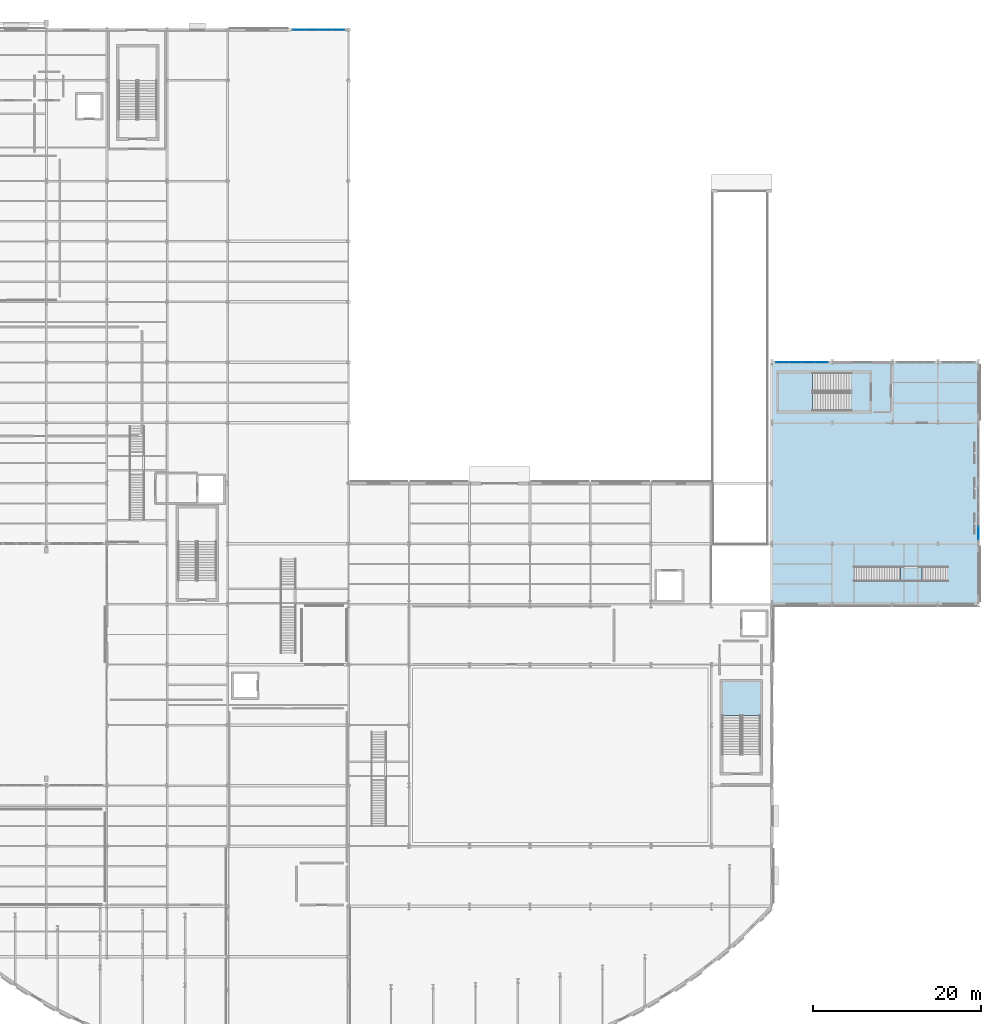
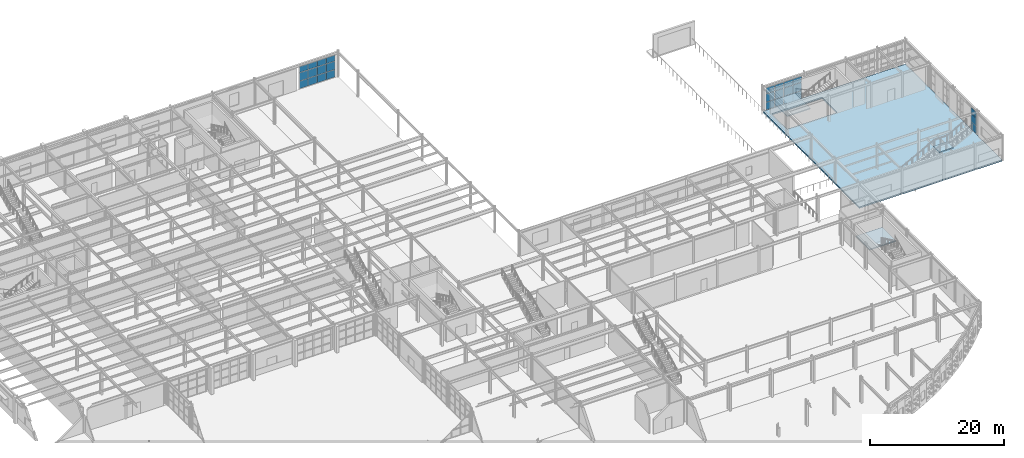
# One storey, part 53 of 83: 27 plates, 4 slabs, 6 elements without a shape of their own.
"""IFC4 building model written with IfcOpenShell, lengths in metres."""

from ifc_helpers import new_model, si_unit, direction, frame, origin, origin_2d, place, context, subcontext, project, spatial, polyline, rectangle, outline, extrude, material, layer, layer_set, type_object, element, aggregate, save


model = new_model("IFC4")

# Units and contexts
model_context = context("Model", 3, precision=1e-05, world=origin(), true_north=direction((0.0, 1.0)))
body_context = subcontext(model_context, "Body", "Model", "MODEL_VIEW")
ifc_project = project(units=[si_unit("LENGTHUNIT", "METRE"), si_unit("AREAUNIT", "SQUARE_METRE"), si_unit("VOLUMEUNIT", "CUBIC_METRE"), si_unit("PLANEANGLEUNIT", "RADIAN"), si_unit("MASSUNIT", "GRAM", prefix="KILO")], contexts=[model_context])

# Site, building, storey
site_placement = place(None, origin())
site = spatial("IfcSite", under=ifc_project, at=site_placement, CompositionType="ELEMENT")
building_placement = place(site_placement, origin())
building = spatial("IfcBuilding", under=site, at=building_placement, Name="Solvadek Multi-Sports Hall", CompositionType="ELEMENT")
storey_placement = place(building_placement, origin())
storey = spatial("IfcBuildingStorey", under=building, at=storey_placement, Name="L00", CompositionType="ELEMENT", Elevation=0.0)

# Curtain wall, plates
ifc_material_1 = material(Name="Anodised aluminium", Category="aluminium")
ifc_layer_1 = layer(ifc_material_1, 0.159912109375, Name="Anodised aluminium")
ifc_layer_set_1 = layer_set([ifc_layer_1], Name="Anodised aluminium")
curtain_wall_type_1 = type_object("IfcCurtainWallType", Name="ENV-CW-624X412", PredefinedType="USERDEFINED", material=ifc_layer_set_1)
curtain_wall_1_placement = place(storey_placement, origin())
curtain_wall_1 = element("IfcCurtainWall", 1, at=curtain_wall_1_placement, inside=storey, type_object=curtain_wall_type_1, Name="L00 Perimeter Bay Curtain Wall #115", ObjectType="CURTAIN WALL", PredefinedType="USERDEFINED")
ifc_material_2 = material(Name="Tempered laminated low-E glass", Category="glass")
ifc_layer_2 = layer(ifc_material_2, 0.028076171875, Name="Tempered laminated low-E glass")
ifc_layer_set_2 = layer_set([ifc_layer_2], Name="Tempered laminated low-E glass")
plate_type_1 = type_object("IfcPlateType", Name="ENV-CWP-02", PredefinedType="CURTAIN_PANEL", material=ifc_layer_set_2)
plate_1_placement = place(storey_placement, frame((80.47509765625, 110.39990234375, 0.06005859375), z_axis=(0.0, 0.0, 1.0), x_axis=(1.0, 0.0, 0.0)))
plate_1 = element("IfcPlate", 2, at=plate_1_placement, type_object=plate_type_1, Name="CW-38 panel 1.1", PredefinedType="CURTAIN_PANEL", context=body_context, shape_type="SweptSolid", body=[
    extrude(rectangle(XDim=1.469970703125, YDim=0.028076171875, at=origin_2d()), origin(), (0.0, 0.0, 1.0), 1.35400390625),
])
plate_2_placement = place(storey_placement, frame((80.47509765625, 110.39990234375, 1.47412109375), z_axis=(0.0, 0.0, 1.0), x_axis=(1.0, 0.0, 0.0)))
plate_2 = element("IfcPlate", 3, at=plate_2_placement, type_object=plate_type_1, Name="CW-38 panel 1.2", PredefinedType="CURTAIN_PANEL", context=body_context, shape_type="SweptSolid", body=[
    extrude(rectangle(XDim=1.469970703125, YDim=0.028076171875, at=origin_2d()), origin(), (0.0, 0.0, 1.0), 1.466064453125),
])
plate_3_placement = place(storey_placement, frame((80.47509765625, 110.39990234375, 3.0), z_axis=(0.0, 0.0, 1.0), x_axis=(1.0, 0.0, 0.0)))
plate_3 = element("IfcPlate", 4, at=plate_3_placement, type_object=plate_type_1, Name="CW-38 panel 1.3", PredefinedType="CURTAIN_PANEL", context=body_context, shape_type="SweptSolid", body=[
    extrude(rectangle(XDim=1.469970703125, YDim=0.028076171875, at=origin_2d()), origin(), (0.0, 0.0, 1.0), 1.06494140625),
])
plate_4_placement = place(storey_placement, frame((82.02001953125, 110.39990234375, 0.06005859375), z_axis=(0.0, 0.0, 1.0), x_axis=(1.0, 0.0, 0.0)))
plate_4 = element("IfcPlate", 5, at=plate_4_placement, type_object=plate_type_1, Name="CW-38 panel 2.1", PredefinedType="CURTAIN_PANEL", context=body_context, shape_type="SweptSolid", body=[
    extrude(rectangle(XDim=1.5, YDim=0.028076171875, at=origin_2d()), origin(), (0.0, 0.0, 1.0), 1.35400390625),
])
plate_5_placement = place(storey_placement, frame((82.02001953125, 110.39990234375, 1.47412109375), z_axis=(0.0, 0.0, 1.0), x_axis=(1.0, 0.0, 0.0)))
plate_5 = element("IfcPlate", 6, at=plate_5_placement, type_object=plate_type_1, Name="CW-38 panel 2.2", PredefinedType="CURTAIN_PANEL", context=body_context, shape_type="SweptSolid", body=[
    extrude(rectangle(XDim=1.5, YDim=0.028076171875, at=origin_2d()), origin(), (0.0, 0.0, 1.0), 1.466064453125),
])
plate_6_placement = place(storey_placement, frame((82.02001953125, 110.39990234375, 3.0), z_axis=(0.0, 0.0, 1.0), x_axis=(1.0, 0.0, 0.0)))
plate_6 = element("IfcPlate", 7, at=plate_6_placement, type_object=plate_type_1, Name="CW-38 panel 2.3", PredefinedType="CURTAIN_PANEL", context=body_context, shape_type="SweptSolid", body=[
    extrude(rectangle(XDim=1.5, YDim=0.028076171875, at=origin_2d()), origin(), (0.0, 0.0, 1.0), 1.06494140625),
])
plate_7_placement = place(storey_placement, frame((83.580078125, 110.39990234375, 0.06005859375), z_axis=(0.0, 0.0, 1.0), x_axis=(1.0, 0.0, 0.0)))
plate_7 = element("IfcPlate", 8, at=plate_7_placement, type_object=plate_type_1, Name="CW-38 panel 3.1", PredefinedType="CURTAIN_PANEL", context=body_context, shape_type="SweptSolid", body=[
    extrude(rectangle(XDim=1.5, YDim=0.028076171875, at=origin_2d()), origin(), (0.0, 0.0, 1.0), 1.35400390625),
])
plate_8_placement = place(storey_placement, frame((83.580078125, 110.39990234375, 1.47412109375), z_axis=(0.0, 0.0, 1.0), x_axis=(1.0, 0.0, 0.0)))
plate_8 = element("IfcPlate", 9, at=plate_8_placement, type_object=plate_type_1, Name="CW-38 panel 3.2", PredefinedType="CURTAIN_PANEL", context=body_context, shape_type="SweptSolid", body=[
    extrude(rectangle(XDim=1.5, YDim=0.028076171875, at=origin_2d()), origin(), (0.0, 0.0, 1.0), 1.466064453125),
])
plate_9_placement = place(storey_placement, frame((83.580078125, 110.39990234375, 3.0), z_axis=(0.0, 0.0, 1.0), x_axis=(1.0, 0.0, 0.0)))
plate_9 = element("IfcPlate", 10, at=plate_9_placement, type_object=plate_type_1, Name="CW-38 panel 3.3", PredefinedType="CURTAIN_PANEL", context=body_context, shape_type="SweptSolid", body=[
    extrude(rectangle(XDim=1.5, YDim=0.028076171875, at=origin_2d()), origin(), (0.0, 0.0, 1.0), 1.06494140625),
])
plate_10_placement = place(storey_placement, frame((85.125, 110.39990234375, 0.06005859375), z_axis=(0.0, 0.0, 1.0), x_axis=(1.0, 0.0, 0.0)))
plate_10 = element("IfcPlate", 11, at=plate_10_placement, type_object=plate_type_1, Name="CW-38 panel 4.1", PredefinedType="CURTAIN_PANEL", context=body_context, shape_type="SweptSolid", body=[
    extrude(rectangle(XDim=1.469970703125, YDim=0.028076171875, at=origin_2d()), origin(), (0.0, 0.0, 1.0), 1.35400390625),
])
plate_11_placement = place(storey_placement, frame((85.125, 110.39990234375, 1.47412109375), z_axis=(0.0, 0.0, 1.0), x_axis=(1.0, 0.0, 0.0)))
plate_11 = element("IfcPlate", 12, at=plate_11_placement, type_object=plate_type_1, Name="CW-38 panel 4.2", PredefinedType="CURTAIN_PANEL", context=body_context, shape_type="SweptSolid", body=[
    extrude(rectangle(XDim=1.469970703125, YDim=0.028076171875, at=origin_2d()), origin(), (0.0, 0.0, 1.0), 1.466064453125),
])
plate_12_placement = place(storey_placement, frame((85.125, 110.39990234375, 3.0), z_axis=(0.0, 0.0, 1.0), x_axis=(1.0, 0.0, 0.0)))
plate_12 = element("IfcPlate", 13, at=plate_12_placement, type_object=plate_type_1, Name="CW-38 panel 4.3", PredefinedType="CURTAIN_PANEL", context=body_context, shape_type="SweptSolid", body=[
    extrude(rectangle(XDim=1.469970703125, YDim=0.028076171875, at=origin_2d()), origin(), (0.0, 0.0, 1.0), 1.06494140625),
])
aggregate(curtain_wall_1, [plate_1, plate_2, plate_3, plate_4, plate_5, plate_6, plate_7, plate_8, plate_9, plate_10, plate_11, plate_12])

curtain_wall_2_placement = place(storey_placement, origin())
curtain_wall_2 = element("IfcCurtainWall", 14, at=curtain_wall_2_placement, inside=storey, type_object=curtain_wall_type_1, Name="L00 Perimeter Bay Curtain Wall #129", ObjectType="CURTAIN WALL", PredefinedType="USERDEFINED")
plate_13_placement = place(storey_placement, frame((138.074951171875, 70.800048828125, 0.06005859375), z_axis=(0.0, 0.0, 1.0), x_axis=(1.0, 0.0, 0.0)))
plate_13 = element("IfcPlate", 15, at=plate_13_placement, type_object=plate_type_1, Name="CW-38 panel 1.1", PredefinedType="CURTAIN_PANEL", context=body_context, shape_type="SweptSolid", body=[
    extrude(rectangle(XDim=1.469970703125, YDim=0.028076171875, at=origin_2d()), origin(), (0.0, 0.0, 1.0), 1.35400390625),
])
plate_14_placement = place(storey_placement, frame((138.074951171875, 70.800048828125, 1.47412109375), z_axis=(0.0, 0.0, 1.0), x_axis=(1.0, 0.0, 0.0)))
plate_14 = element("IfcPlate", 16, at=plate_14_placement, type_object=plate_type_1, Name="CW-38 panel 1.2", PredefinedType="CURTAIN_PANEL", context=body_context, shape_type="SweptSolid", body=[
    extrude(rectangle(XDim=1.469970703125, YDim=0.028076171875, at=origin_2d()), origin(), (0.0, 0.0, 1.0), 1.466064453125),
])
plate_15_placement = place(storey_placement, frame((138.074951171875, 70.800048828125, 3.0), z_axis=(0.0, 0.0, 1.0), x_axis=(1.0, 0.0, 0.0)))
plate_15 = element("IfcPlate", 17, at=plate_15_placement, type_object=plate_type_1, Name="CW-38 panel 1.3", PredefinedType="CURTAIN_PANEL", context=body_context, shape_type="SweptSolid", body=[
    extrude(rectangle(XDim=1.469970703125, YDim=0.028076171875, at=origin_2d()), origin(), (0.0, 0.0, 1.0), 1.06494140625),
])
plate_16_placement = place(storey_placement, frame((139.6201171875, 70.800048828125, 0.06005859375), z_axis=(0.0, 0.0, 1.0), x_axis=(1.0, 0.0, 0.0)))
plate_16 = element("IfcPlate", 18, at=plate_16_placement, type_object=plate_type_1, Name="CW-38 panel 2.1", PredefinedType="CURTAIN_PANEL", context=body_context, shape_type="SweptSolid", body=[
    extrude(rectangle(XDim=1.5, YDim=0.028076171875, at=origin_2d()), origin(), (0.0, 0.0, 1.0), 1.35400390625),
])
plate_17_placement = place(storey_placement, frame((139.6201171875, 70.800048828125, 1.47412109375), z_axis=(0.0, 0.0, 1.0), x_axis=(1.0, 0.0, 0.0)))
plate_17 = element("IfcPlate", 19, at=plate_17_placement, type_object=plate_type_1, Name="CW-38 panel 2.2", PredefinedType="CURTAIN_PANEL", context=body_context, shape_type="SweptSolid", body=[
    extrude(rectangle(XDim=1.5, YDim=0.028076171875, at=origin_2d()), origin(), (0.0, 0.0, 1.0), 1.466064453125),
])
plate_18_placement = place(storey_placement, frame((139.6201171875, 70.800048828125, 3.0), z_axis=(0.0, 0.0, 1.0), x_axis=(1.0, 0.0, 0.0)))
plate_18 = element("IfcPlate", 20, at=plate_18_placement, type_object=plate_type_1, Name="CW-38 panel 2.3", PredefinedType="CURTAIN_PANEL", context=body_context, shape_type="SweptSolid", body=[
    extrude(rectangle(XDim=1.5, YDim=0.028076171875, at=origin_2d()), origin(), (0.0, 0.0, 1.0), 1.06494140625),
])
plate_19_placement = place(storey_placement, frame((141.179931640625, 70.800048828125, 0.06005859375), z_axis=(0.0, 0.0, 1.0), x_axis=(1.0, 0.0, 0.0)))
plate_19 = element("IfcPlate", 21, at=plate_19_placement, type_object=plate_type_1, Name="CW-38 panel 3.1", PredefinedType="CURTAIN_PANEL", context=body_context, shape_type="SweptSolid", body=[
    extrude(rectangle(XDim=1.5, YDim=0.028076171875, at=origin_2d()), origin(), (0.0, 0.0, 1.0), 1.35400390625),
])
plate_20_placement = place(storey_placement, frame((141.179931640625, 70.800048828125, 1.47412109375), z_axis=(0.0, 0.0, 1.0), x_axis=(1.0, 0.0, 0.0)))
plate_20 = element("IfcPlate", 22, at=plate_20_placement, type_object=plate_type_1, Name="CW-38 panel 3.2", PredefinedType="CURTAIN_PANEL", context=body_context, shape_type="SweptSolid", body=[
    extrude(rectangle(XDim=1.5, YDim=0.028076171875, at=origin_2d()), origin(), (0.0, 0.0, 1.0), 1.466064453125),
])
plate_21_placement = place(storey_placement, frame((141.179931640625, 70.800048828125, 3.0), z_axis=(0.0, 0.0, 1.0), x_axis=(1.0, 0.0, 0.0)))
plate_21 = element("IfcPlate", 23, at=plate_21_placement, type_object=plate_type_1, Name="CW-38 panel 3.3", PredefinedType="CURTAIN_PANEL", context=body_context, shape_type="SweptSolid", body=[
    extrude(rectangle(XDim=1.5, YDim=0.028076171875, at=origin_2d()), origin(), (0.0, 0.0, 1.0), 1.06494140625),
])
plate_22_placement = place(storey_placement, frame((142.72509765625, 70.800048828125, 0.06005859375), z_axis=(0.0, 0.0, 1.0), x_axis=(1.0, 0.0, 0.0)))
plate_22 = element("IfcPlate", 24, at=plate_22_placement, type_object=plate_type_1, Name="CW-38 panel 4.1", PredefinedType="CURTAIN_PANEL", context=body_context, shape_type="SweptSolid", body=[
    extrude(rectangle(XDim=1.469970703125, YDim=0.028076171875, at=origin_2d()), origin(), (0.0, 0.0, 1.0), 1.35400390625),
])
plate_23_placement = place(storey_placement, frame((142.72509765625, 70.800048828125, 1.47412109375), z_axis=(0.0, 0.0, 1.0), x_axis=(1.0, 0.0, 0.0)))
plate_23 = element("IfcPlate", 25, at=plate_23_placement, type_object=plate_type_1, Name="CW-38 panel 4.2", PredefinedType="CURTAIN_PANEL", context=body_context, shape_type="SweptSolid", body=[
    extrude(rectangle(XDim=1.469970703125, YDim=0.028076171875, at=origin_2d()), origin(), (0.0, 0.0, 1.0), 1.466064453125),
])
plate_24_placement = place(storey_placement, frame((142.72509765625, 70.800048828125, 3.0), z_axis=(0.0, 0.0, 1.0), x_axis=(1.0, 0.0, 0.0)))
plate_24 = element("IfcPlate", 26, at=plate_24_placement, type_object=plate_type_1, Name="CW-38 panel 4.3", PredefinedType="CURTAIN_PANEL", context=body_context, shape_type="SweptSolid", body=[
    extrude(rectangle(XDim=1.469970703125, YDim=0.028076171875, at=origin_2d()), origin(), (0.0, 0.0, 1.0), 1.06494140625),
])
aggregate(curtain_wall_2, [plate_13, plate_14, plate_15, plate_16, plate_17, plate_18, plate_19, plate_20, plate_21, plate_22, plate_23, plate_24])

ifc_layer_3 = layer(ifc_material_1, 0.159912109375, Name="Anodised aluminium")
ifc_layer_set_3 = layer_set([ifc_layer_3], Name="Anodised aluminium")
curtain_wall_type_2 = type_object("IfcCurtainWallType", Name="ENV-CW-624X405", PredefinedType="USERDEFINED", material=ifc_layer_set_3)
curtain_wall_3_placement = place(storey_placement, origin())
curtain_wall_3 = element("IfcCurtainWall", 27, at=curtain_wall_3_placement, inside=storey, type_object=curtain_wall_type_2, Name="L00 Perimeter Bay Curtain Wall #144", ObjectType="CURTAIN WALL", PredefinedType="USERDEFINED")
ifc_layer_4 = layer(ifc_material_2, 0.0419921875, Name="Tempered laminated low-E glass")
ifc_layer_set_4 = layer_set([ifc_layer_4], Name="Tempered laminated low-E glass")
plate_type_2 = type_object("IfcPlateType", Name="ENV-CWP-05", PredefinedType="CURTAIN_PANEL", material=ifc_layer_set_4)
plate_25_placement = place(storey_placement, frame((161.39990234375, 50.4775390625, 0.06005859375), z_axis=(0.0, 0.0, 1.0), x_axis=(0.0, 1.0, 0.0)))
plate_25 = element("IfcPlate", 28, at=plate_25_placement, type_object=plate_type_2, Name="CW-52 panel 1.1", PredefinedType="CURTAIN_PANEL", context=body_context, shape_type="SweptSolid", body=[
    extrude(rectangle(XDim=1.455078125, YDim=0.0419921875, at=origin_2d()), origin(), (0.0, 0.0, 1.0), 1.326904296875),
])
plate_26_placement = place(storey_placement, frame((161.39990234375, 50.4775390625, 1.447021484375), z_axis=(0.0, 0.0, 1.0), x_axis=(0.0, 1.0, 0.0)))
plate_26 = element("IfcPlate", 29, at=plate_26_placement, type_object=plate_type_2, Name="CW-52 panel 1.2", PredefinedType="CURTAIN_PANEL", context=body_context, shape_type="SweptSolid", body=[
    extrude(rectangle(XDim=1.455078125, YDim=0.0419921875, at=origin_2d()), origin(), (0.0, 0.0, 1.0), 1.43896484375),
])
plate_27_placement = place(storey_placement, frame((161.39990234375, 50.4775390625, 2.946044921875), z_axis=(0.0, 0.0, 1.0), x_axis=(0.0, 1.0, 0.0)))
plate_27 = element("IfcPlate", 30, at=plate_27_placement, type_object=plate_type_2, Name="CW-52 panel 1.3", PredefinedType="CURTAIN_PANEL", context=body_context, shape_type="SweptSolid", body=[
    extrude(rectangle(XDim=1.455078125, YDim=0.0419921875, at=origin_2d()), origin(), (0.0, 0.0, 1.0), 1.0439453125),
])
aggregate(curtain_wall_3, [plate_25, plate_26, plate_27])

# Stair, slab
ifc_material_3 = material(Name="Concrete M35", Category="concrete")
stair_type_1 = type_object("IfcStairType", Name="INT-STR-DOG220", PredefinedType="USERDEFINED", material=ifc_material_3)
stair_1_placement = place(storey_placement, origin())
stair_1 = element("IfcStair", 31, at=stair_1_placement, inside=storey, type_object=stair_type_1, Name="L00 Exit Stair Core ST-05 (SE Competition Hall)", ObjectType="TWO_RUN_STAIR", PredefinedType="USERDEFINED")
ifc_layer_5 = layer(ifc_material_3, 0.199951171875, Name="Concrete M35")
ifc_layer_set_5 = layer_set([ifc_layer_5], Name="Concrete M35")
slab_type_1 = type_object("IfcSlabType", Name="INT-LND-RC200", PredefinedType="LANDING", material=ifc_layer_set_5)
slab_1_placement = place(storey_placement, frame((0.0, 0.0, 2.199951171875)))
slab_1 = element("IfcSlab", 32, at=slab_1_placement, type_object=slab_type_1, Name="ST-05 landing 1", PredefinedType="LANDING", context=body_context, shape_type="SweptSolid", body=[
    extrude(outline(polyline([(135.449951171875, 28.75), (135.449951171875, 32.800048828125), (130.89990234375, 32.800048828125), (130.89990234375, 28.75), (135.449951171875, 28.75)])), origin(), (0.0, 0.0, 1.0), 0.199951171875),
])
aggregate(stair_1, [slab_1])

stair_2_placement = place(storey_placement, origin())
stair_2 = element("IfcStair", 33, at=stair_2_placement, inside=storey, type_object=stair_type_1, Name="L00 Exit Stair Core ST-06 (NE Climbing Pavilion)", ObjectType="TWO_RUN_STAIR", PredefinedType="USERDEFINED")
slab_2_placement = place(storey_placement, frame((0.0, 0.0, 2.199951171875)))
slab_2 = element("IfcSlab", 34, at=slab_2_placement, type_object=slab_type_1, Name="ST-06 landing 1", PredefinedType="LANDING", context=body_context, shape_type="SweptSolid", body=[
    extrude(outline(polyline([(141.64990234375, 69.550048828125), (137.60009765625, 69.550048828125), (137.60009765625, 65.0), (141.64990234375, 65.0), (141.64990234375, 69.550048828125)])), origin(), (0.0, 0.0, 1.0), 0.199951171875),
])
aggregate(stair_2, [slab_2])

stair_type_2 = type_object("IfcStairType", Name="INT-STR-VOM180", PredefinedType="STRAIGHT_RUN_STAIR", material=ifc_material_3)
stair_3_placement = place(storey_placement, origin())
stair_3 = element("IfcStair", 35, at=stair_3_placement, inside=storey, type_object=stair_type_2, Name="L00 Monumental and Access Stair ST-11", PredefinedType="STRAIGHT_RUN_STAIR")
slab_3_placement = place(storey_placement, frame((0.0, 0.0, 2.800048828125)))
slab_3 = element("IfcSlab", 36, at=slab_3_placement, type_object=slab_type_1, Name="ST-11 landing 1", PredefinedType="LANDING", context=body_context, shape_type="SweptSolid", body=[
    extrude(outline(polyline([(152.1201171875, 44.699951171875), (154.679931640625, 44.699951171875), (154.679931640625, 46.5), (152.1201171875, 46.5), (152.1201171875, 44.699951171875)])), origin(), (0.0, 0.0, 1.0), 0.199951171875),
])
aggregate(stair_3, [slab_3])

# Slab
ifc_layer_6 = layer(ifc_material_3, 0.25, Name="Concrete M35")
ifc_layer_set_6 = layer_set([ifc_layer_6], Name="Concrete M35")
slab_type_2 = type_object("IfcSlabType", Name="STR-SLB-FLR250", PredefinedType="FLOOR", material=ifc_layer_set_6)
slab_4_placement = place(storey_placement, frame((0.0, 0.0, -0.25)))
element("IfcSlab", 37, at=slab_4_placement, inside=storey, type_object=slab_type_2, Name="L00 Ground Floor Slab #48", PredefinedType="FLOOR", context=body_context, shape_type="SweptSolid", body=[
    extrude(outline(polyline([(136.800048828125, 70.800048828125), (161.39990234375, 70.800048828125), (161.39990234375, 42.0), (136.800048828125, 42.0), (136.800048828125, 70.800048828125)]), holes=[polyline([(137.60009765625, 69.550048828125), (137.60009765625, 65.0), (146.2548828125, 65.0), (146.2548828125, 69.550048828125), (137.60009765625, 69.550048828125)])]), origin(), (0.0, 0.0, 1.0), 0.25),
])

save(model, "model.ifc")
